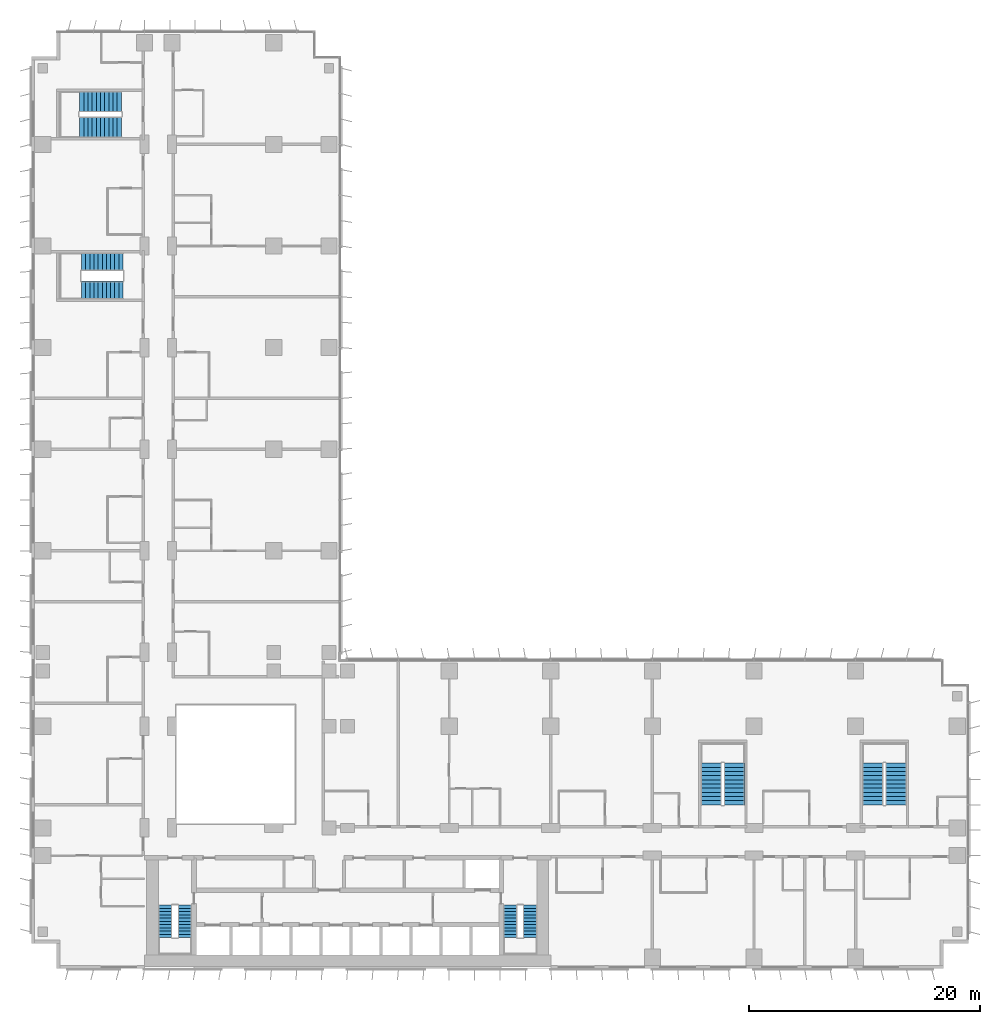
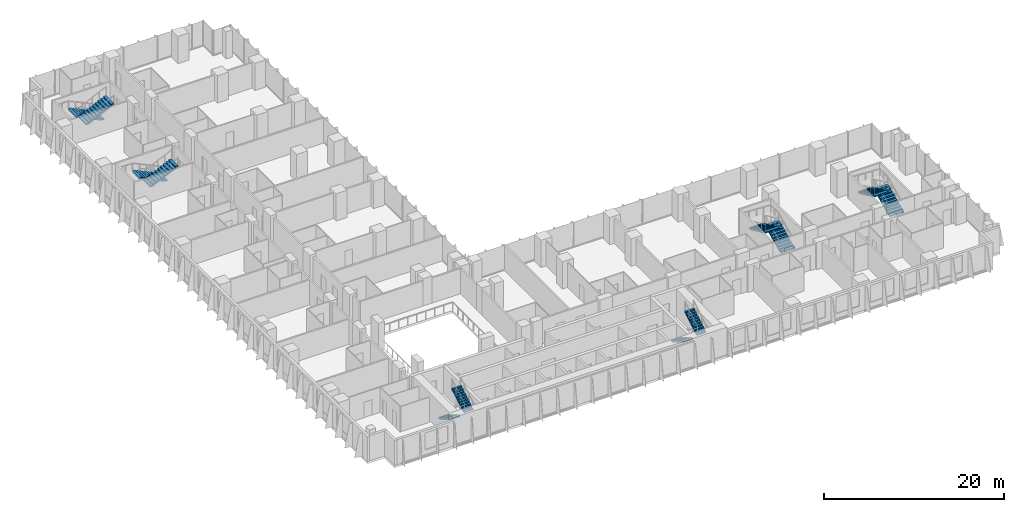
# One storey, part 20 of 24: 12 stair flights, 6 elements without a shape of their own.
"""IFC4 building model written with IfcOpenShell, lengths in metres."""

import ifcopenshell
import ifcopenshell.guid

model = None  # the IFC model being written
_history = None  # IfcOwnerHistory: only IFC2X3 demands one
_inside = {}  # id of a spatial element -> (the spatial element, [elements in it])
_under = {}  # id of a project, library or spatial element -> (it, [spatial elements below it])
_declared = {}  # id of a project -> (the project, [libraries it declares])
_typed = {}  # id of a type object -> (the type object, [elements of that type])
_made_of = {}  # id of a material, layer set ... -> (it, [elements and type objects made of it])


def new_model(schema):
    """Start an empty IFC model of exactly this schema.

    Asked for "IFC4X3", IfcOpenShell would pick the latest addendum, in which some entities
    have other attributes; the version numbers below select the first issue.
    IFC2X3 requires an IfcOwnerHistory on every rooted entity: one is made here for all.
    """
    global model, _history
    if schema == "IFC4X3":
        model = ifcopenshell.file(schema_version=(4, 3, 0, 0))
    else:
        model = ifcopenshell.file(schema=schema)
    _inside.clear()
    _under.clear()
    _declared.clear()
    _typed.clear()
    _made_of.clear()
    _history = None
    if model.schema == "IFC2X3":
        org = make("IfcOrganization", Name="unknown")
        user = make(
            "IfcPersonAndOrganization",
            ThePerson=make("IfcPerson", FamilyName="unknown"),
            TheOrganization=org,
        )
        app = make(
            "IfcApplication",
            ApplicationDeveloper=org,
            Version="unknown",
            ApplicationFullName="unknown",
            ApplicationIdentifier="unknown",
        )
        _history = make(
            "IfcOwnerHistory",
            OwningUser=user,
            OwningApplication=app,
            ChangeAction="ADDED",
            CreationDate=0,
        )
    return model


def make(cls, **values):
    """One entity of the class cls with the attributes given. An attribute that is None is left unset."""
    return model.create_entity(
        cls, **{name: value for name, value in values.items() if value is not None}
    )


def rooted(cls, **values):
    """An entity with a GlobalId (a new one), such as an element, a storey or a relation."""
    return make(cls, GlobalId=ifcopenshell.guid.new(), OwnerHistory=_history, **values)


def si_unit(unit_type, name, prefix=None):
    """IfcSIUnit, for example si_unit("LENGTHUNIT", "METRE", prefix="MILLI")."""
    return make("IfcSIUnit", UnitType=unit_type, Prefix=prefix, Name=name)


def assignment(units):
    """IfcUnitAssignment: the units of a project."""
    return None if units is None else make("IfcUnitAssignment", Units=units)


def point(xyz):
    """IfcCartesianPoint."""
    return None if xyz is None else make("IfcCartesianPoint", Coordinates=xyz)


def direction(xyz):
    """IfcDirection."""
    return None if xyz is None else make("IfcDirection", DirectionRatios=xyz)


def frame(location, z_axis=None, x_axis=None):
    """IfcAxis2Placement3D, a coordinate frame: its origin and axes. An axis left out is left unset."""
    return make(
        "IfcAxis2Placement3D",
        Location=point(location),
        Axis=direction(z_axis),
        RefDirection=direction(x_axis),
    )


def origin():
    """The frame at (0, 0, 0) with its axes left unset."""
    return frame((0.0, 0.0, 0.0))


def place(relative_to, where):
    """IfcLocalPlacement: puts the frame where relative to a parent placement (None: the world)."""
    return make(
        "IfcLocalPlacement", PlacementRelTo=relative_to, RelativePlacement=where
    )


def context(
    kind, dimensions, precision=None, world=None, true_north=None, identifier=None
):
    """IfcGeometricRepresentationContext, for example the 3D "Model" context."""
    return make(
        "IfcGeometricRepresentationContext",
        ContextIdentifier=identifier,
        ContextType=kind,
        CoordinateSpaceDimension=dimensions,
        Precision=precision,
        WorldCoordinateSystem=world,
        TrueNorth=true_north,
    )


def subcontext(parent, identifier, kind, view, scale=None):
    """IfcGeometricRepresentationSubContext, for example "Body" below "Model"."""
    return make(
        "IfcGeometricRepresentationSubContext",
        ContextIdentifier=identifier,
        ContextType=kind,
        ParentContext=parent,
        TargetScale=scale,
        TargetView=view,
    )


def project(units=None, contexts=None):
    """IfcProject with its units and contexts."""
    return rooted(
        "IfcProject",
        Name="project",
        RepresentationContexts=contexts,
        UnitsInContext=assignment(units),
    )


def spatial(cls, under=None, at=None, **own):
    """A site, building, storey or space (cls), placed at a placement, below another one or the project."""
    s = rooted(cls, ObjectPlacement=at, **own)
    if under is not None:
        _under.setdefault(under.id(), (under, []))[1].append(s)
    return s


def polyline(points):
    """IfcPolyline through the points."""
    return make("IfcPolyline", Points=[point(p) for p in points])


def outline(outer, holes=None, kind="AREA"):
    """IfcArbitraryClosedProfileDef: a profile drawn as a closed curve; with holes, ...WithVoids."""
    if holes is None:
        return make("IfcArbitraryClosedProfileDef", ProfileType=kind, OuterCurve=outer)
    return make(
        "IfcArbitraryProfileDefWithVoids",
        ProfileType=kind,
        OuterCurve=outer,
        InnerCurves=holes,
    )


def extrude(swept, where, along, depth):
    """IfcExtrudedAreaSolid: the profile swept, set in the frame where, extruded along a direction by depth."""
    return make(
        "IfcExtrudedAreaSolid",
        SweptArea=swept,
        Position=where,
        ExtrudedDirection=direction(along),
        Depth=depth,
    )


def shape(context_of_items, identifier, shape_type, items):
    """IfcShapeRepresentation: the items that make up one representation, for example the "Body"."""
    return make(
        "IfcShapeRepresentation",
        ContextOfItems=context_of_items,
        RepresentationIdentifier=identifier,
        RepresentationType=shape_type,
        Items=items,
    )


def material(Name=None, Category=None):
    """IfcMaterial."""
    return make("IfcMaterial", Name=Name, Category=Category)


def made_of(thing, what):
    """Note that an element or type object is made of a material, layer set ...; save() writes the relation."""
    if what is not None:
        _made_of.setdefault(what.id(), (what, []))[1].append(thing)
    return thing


def type_object(cls, material=None, **own):
    """A type object (cls), such as IfcWallType, which elements share."""
    return made_of(rooted(cls, **own), material)


def element(
    cls,
    number,
    at=None,
    inside=None,
    cuts=None,
    type_object=None,
    material=None,
    context=None,
    identifier="Body",
    shape_type=None,
    held_by="IfcProductDefinitionShape",
    body=None,
    shapes=None,
    **own,
):
    """One element of the class cls, such as IfcWall. Its Tag is "e" and its number.

    at: its placement. inside: the storey or other place that contains it. cuts: it is an
    opening in that element (IfcRelVoidsElement). A single representation is given by context,
    identifier, shape_type and body (its items); several are given by shapes. held_by: the class
    of the entity that holds the representations. save() writes the other relations.
    """
    e = rooted(cls, Tag="e%d" % number, ObjectPlacement=at, **own)
    if body is not None:
        shapes = [shape(context, identifier, shape_type, body)]
    if shapes is not None:
        e.Representation = make(held_by, Representations=shapes)
    if inside is not None:
        _inside.setdefault(inside.id(), (inside, []))[1].append(e)
    if cuts is not None:
        rooted(
            "IfcRelVoidsElement", RelatingBuildingElement=cuts, RelatedOpeningElement=e
        )
    if type_object is not None:
        _typed.setdefault(type_object.id(), (type_object, []))[1].append(e)
    return made_of(e, material)


def aggregate(whole, parts):
    """IfcRelAggregates: a whole, such as a stair, and the parts it consists of."""
    return rooted("IfcRelAggregates", RelatingObject=whole, RelatedObjects=parts)


def save(model, path):
    """Write the relations noted so far, then the file.

    IfcRelAggregates (storeys below a building ...), IfcRelContainedInSpatialStructure (elements
    in a storey), IfcRelDefinesByType, IfcRelAssociatesMaterial and IfcRelDeclares: one each for
    every whole, place, type object, material and project.
    """
    for whole, parts in _under.values():
        aggregate(whole, parts)
    for where, things in _inside.values():
        rooted(
            "IfcRelContainedInSpatialStructure",
            RelatedElements=things,
            RelatingStructure=where,
        )
    for kind, things in _typed.values():
        rooted("IfcRelDefinesByType", RelatedObjects=things, RelatingType=kind)
    for what, things in _made_of.values():
        rooted("IfcRelAssociatesMaterial", RelatedObjects=things, RelatingMaterial=what)
    for by, libraries in _declared.values():
        rooted("IfcRelDeclares", RelatingContext=by, RelatedDefinitions=libraries)
    model.write(path)


model = new_model("IFC4")

# Units and contexts
model_context = context("Model", 3, precision=1e-05, world=origin(), true_north=direction((0.0, 1.0)))
body_context = subcontext(model_context, "Body", "Model", "MODEL_VIEW")
ifc_project = project(units=[si_unit("LENGTHUNIT", "METRE"), si_unit("AREAUNIT", "SQUARE_METRE"), si_unit("VOLUMEUNIT", "CUBIC_METRE"), si_unit("PLANEANGLEUNIT", "RADIAN"), si_unit("MASSUNIT", "GRAM", prefix="KILO")], contexts=[model_context])

# Site, building, storey
site_placement = place(None, origin())
site = spatial("IfcSite", under=ifc_project, at=site_placement, CompositionType="ELEMENT")
building_placement = place(site_placement, origin())
building = spatial("IfcBuilding", under=site, at=building_placement, Name="Kemantara Hotel Tower", CompositionType="ELEMENT")
storey_placement = place(building_placement, frame((0.0, 0.0, 41.39990234375)))
storey = spatial("IfcBuildingStorey", under=building, at=storey_placement, Name="L08", CompositionType="ELEMENT", Elevation=41.39990234375)

# Stair, stair flights
ifc_material = material(Name="Concrete fc 40 MPa", Category="concrete")
stair_type_1 = type_object("IfcStairType", Name="Stair 1200 wide 22 risers of 168 x 280 mm", PredefinedType="HALF_TURN_STAIR", material=ifc_material)
stair_1_placement = place(storey_placement, origin())
stair_1 = element("IfcStair", 1, at=stair_1_placement, inside=storey, type_object=stair_type_1, Name="L08 Exit stair ST1", PredefinedType="HALF_TURN_STAIR")
stair_flight_type_1 = type_object("IfcStairFlightType", Name="Stair flight 1200 wide 168 x 280 mm", PredefinedType="STRAIGHT", material=ifc_material)
stair_flight_1_placement = place(storey_placement, frame((11.60009765625, 5.5, 0.0), z_axis=(0.0, 0.0, 1.0), x_axis=(0.0, -1.0, 0.0)))
stair_flight_1 = element("IfcStairFlight", 2, at=stair_flight_1_placement, type_object=stair_flight_type_1, Name="ST1 flight 1", NumberOfRisers=11, NumberOfTreads=10, PredefinedType="STRAIGHT", RiserHeight=0.168181818, TreadLength=0.28, context=body_context, shape_type="SweptSolid", body=[
    extrude(outline(polyline([(0.0, 0.0), (0.0, 0.168212890625), (0.280029296875, 0.168212890625), (0.280029296875, 0.33642578125), (0.56005859375, 0.33642578125), (0.56005859375, 0.504638671875), (0.840087890625, 0.504638671875), (0.840087890625, 0.672607421875), (1.1201171875, 0.672607421875), (1.1201171875, 0.8408203125), (1.39990234375, 0.8408203125), (1.39990234375, 1.009033203125), (1.679931640625, 1.009033203125), (1.679931640625, 1.17724609375), (1.9599609375, 1.17724609375), (1.9599609375, 1.345458984375), (2.239990234375, 1.345458984375), (2.239990234375, 1.513671875), (2.52001953125, 1.513671875), (2.52001953125, 1.681884765625), (2.800048828125, 1.681884765625), (2.800048828125, 1.85009765625), (2.800048828125, 1.5068359375), (0.291015625, 0.0), (0.0, 0.0)])), frame((0.0, 0.60009765625, 0.0), z_axis=(0.0, -1.0, 0.0), x_axis=(1.0, 0.0, 0.0)), (0.0, 0.0, 1.0), 1.199951171875),
])
stair_flight_2_placement = place(storey_placement, frame((13.300048828125, 2.699951171875, 1.85009765625), z_axis=(0.0, 0.0, 1.0), x_axis=(0.0, 1.0, 0.0)))
stair_flight_2 = element("IfcStairFlight", 3, at=stair_flight_2_placement, type_object=stair_flight_type_1, Name="ST1 flight 2", NumberOfRisers=11, NumberOfTreads=10, PredefinedType="STRAIGHT", RiserHeight=0.168181818, TreadLength=0.28, context=body_context, shape_type="SweptSolid", body=[
    extrude(outline(polyline([(0.0, 0.0), (0.0, 0.168212890625), (0.280029296875, 0.168212890625), (0.280029296875, 0.33642578125), (0.56005859375, 0.33642578125), (0.56005859375, 0.504638671875), (0.840087890625, 0.504638671875), (0.840087890625, 0.672607421875), (1.1201171875, 0.672607421875), (1.1201171875, 0.8408203125), (1.39990234375, 0.8408203125), (1.39990234375, 1.009033203125), (1.679931640625, 1.009033203125), (1.679931640625, 1.17724609375), (1.9599609375, 1.17724609375), (1.9599609375, 1.345458984375), (2.239990234375, 1.345458984375), (2.239990234375, 1.513671875), (2.52001953125, 1.513671875), (2.52001953125, 1.681884765625), (2.800048828125, 1.681884765625), (2.800048828125, 1.85009765625), (2.800048828125, 1.5068359375), (0.291015625, 0.0), (0.0, 0.0)])), frame((0.0, 0.60009765625, 0.0), z_axis=(0.0, -1.0, 0.0), x_axis=(1.0, 0.0, 0.0)), (0.0, 0.0, 1.0), 1.199951171875),
])
aggregate(stair_1, [stair_flight_1, stair_flight_2])

stair_2_placement = place(storey_placement, origin())
stair_2 = element("IfcStair", 4, at=stair_2_placement, inside=storey, type_object=stair_type_1, Name="L08 Exit stair ST2", PredefinedType="HALF_TURN_STAIR")
stair_flight_3_placement = place(storey_placement, frame((41.5, 5.5, 0.0), z_axis=(0.0, 0.0, 1.0), x_axis=(0.0, -1.0, 0.0)))
stair_flight_3 = element("IfcStairFlight", 5, at=stair_flight_3_placement, type_object=stair_flight_type_1, Name="ST2 flight 1", NumberOfRisers=11, NumberOfTreads=10, PredefinedType="STRAIGHT", RiserHeight=0.168181818, TreadLength=0.28, context=body_context, shape_type="SweptSolid", body=[
    extrude(outline(polyline([(0.0, 0.0), (0.0, 0.168212890625), (0.280029296875, 0.168212890625), (0.280029296875, 0.33642578125), (0.56005859375, 0.33642578125), (0.56005859375, 0.504638671875), (0.840087890625, 0.504638671875), (0.840087890625, 0.672607421875), (1.1201171875, 0.672607421875), (1.1201171875, 0.8408203125), (1.39990234375, 0.8408203125), (1.39990234375, 1.009033203125), (1.679931640625, 1.009033203125), (1.679931640625, 1.17724609375), (1.9599609375, 1.17724609375), (1.9599609375, 1.345458984375), (2.239990234375, 1.345458984375), (2.239990234375, 1.513671875), (2.52001953125, 1.513671875), (2.52001953125, 1.681884765625), (2.800048828125, 1.681884765625), (2.800048828125, 1.85009765625), (2.800048828125, 1.5068359375), (0.291015625, 0.0), (0.0, 0.0)])), frame((0.0, 0.60009765625, 0.0), z_axis=(0.0, -1.0, 0.0), x_axis=(1.0, 0.0, 0.0)), (0.0, 0.0, 1.0), 1.199951171875),
])
stair_flight_4_placement = place(storey_placement, frame((43.199951171875, 2.699951171875, 1.85009765625), z_axis=(0.0, 0.0, 1.0), x_axis=(0.0, 1.0, 0.0)))
stair_flight_4 = element("IfcStairFlight", 6, at=stair_flight_4_placement, type_object=stair_flight_type_1, Name="ST2 flight 2", NumberOfRisers=11, NumberOfTreads=10, PredefinedType="STRAIGHT", RiserHeight=0.168181818, TreadLength=0.28, context=body_context, shape_type="SweptSolid", body=[
    extrude(outline(polyline([(0.0, 0.0), (0.0, 0.168212890625), (0.280029296875, 0.168212890625), (0.280029296875, 0.33642578125), (0.56005859375, 0.33642578125), (0.56005859375, 0.504638671875), (0.840087890625, 0.504638671875), (0.840087890625, 0.672607421875), (1.1201171875, 0.672607421875), (1.1201171875, 0.8408203125), (1.39990234375, 0.8408203125), (1.39990234375, 1.009033203125), (1.679931640625, 1.009033203125), (1.679931640625, 1.17724609375), (1.9599609375, 1.17724609375), (1.9599609375, 1.345458984375), (2.239990234375, 1.345458984375), (2.239990234375, 1.513671875), (2.52001953125, 1.513671875), (2.52001953125, 1.681884765625), (2.800048828125, 1.681884765625), (2.800048828125, 1.85009765625), (2.800048828125, 1.5068359375), (0.291015625, 0.0), (0.0, 0.0)])), frame((0.0, 0.60009765625, 0.0), z_axis=(0.0, -1.0, 0.0), x_axis=(1.0, 0.0, 0.0)), (0.0, 0.0, 1.0), 1.199951171875),
])
aggregate(stair_2, [stair_flight_3, stair_flight_4])

stair_type_2 = type_object("IfcStairType", Name="Stair 1550 wide 22 risers of 168 x 360 mm", PredefinedType="HALF_TURN_STAIR", material=ifc_material)
stair_3_placement = place(storey_placement, origin())
stair_3 = element("IfcStair", 7, at=stair_3_placement, inside=storey, type_object=stair_type_2, Name="L08 Exit stair ST4", PredefinedType="HALF_TURN_STAIR")
stair_flight_type_2 = type_object("IfcStairFlightType", Name="Stair flight 1550 wide 168 x 360 mm", PredefinedType="STRAIGHT", material=ifc_material)
stair_flight_5_placement = place(storey_placement, frame((7.949951171875, 61.22509765625, 0.0), z_axis=(0.0, 0.0, 1.0), x_axis=(-1.0, 0.0, 0.0)))
stair_flight_5 = element("IfcStairFlight", 8, at=stair_flight_5_placement, type_object=stair_flight_type_2, Name="ST4 flight 1", NumberOfRisers=11, NumberOfTreads=10, PredefinedType="STRAIGHT", RiserHeight=0.168181818, TreadLength=0.36, context=body_context, shape_type="SweptSolid", body=[
    extrude(outline(polyline([(0.0, 0.0), (0.0, 0.168212890625), (0.360107421875, 0.168212890625), (0.360107421875, 0.33642578125), (0.719970703125, 0.33642578125), (0.719970703125, 0.504638671875), (1.080078125, 0.504638671875), (1.080078125, 0.672607421875), (1.43994140625, 0.672607421875), (1.43994140625, 0.8408203125), (1.800048828125, 0.8408203125), (1.800048828125, 1.009033203125), (2.159912109375, 1.009033203125), (2.159912109375, 1.17724609375), (2.52001953125, 1.17724609375), (2.52001953125, 1.345458984375), (2.8798828125, 1.345458984375), (2.8798828125, 1.513671875), (3.239990234375, 1.513671875), (3.239990234375, 1.681884765625), (3.60009765625, 1.681884765625), (3.60009765625, 1.85009765625), (3.60009765625, 1.516357421875), (0.354248046875, 0.0), (0.0, 0.0)])), frame((0.0, 0.77490234375, 0.0), z_axis=(0.0, -1.0, 0.0), x_axis=(1.0, 0.0, 0.0)), (0.0, 0.0, 1.0), 1.550048828125),
])
stair_flight_6_placement = place(storey_placement, frame((4.35009765625, 58.77490234375, 1.85009765625), z_axis=(0.0, 0.0, 1.0), x_axis=(1.0, 0.0, 0.0)))
stair_flight_6 = element("IfcStairFlight", 9, at=stair_flight_6_placement, type_object=stair_flight_type_2, Name="ST4 flight 2", NumberOfRisers=11, NumberOfTreads=10, PredefinedType="STRAIGHT", RiserHeight=0.168181818, TreadLength=0.36, context=body_context, shape_type="SweptSolid", body=[
    extrude(outline(polyline([(0.0, 0.0), (0.0, 0.168212890625), (0.360107421875, 0.168212890625), (0.360107421875, 0.33642578125), (0.719970703125, 0.33642578125), (0.719970703125, 0.504638671875), (1.080078125, 0.504638671875), (1.080078125, 0.672607421875), (1.43994140625, 0.672607421875), (1.43994140625, 0.8408203125), (1.800048828125, 0.8408203125), (1.800048828125, 1.009033203125), (2.159912109375, 1.009033203125), (2.159912109375, 1.17724609375), (2.52001953125, 1.17724609375), (2.52001953125, 1.345458984375), (2.8798828125, 1.345458984375), (2.8798828125, 1.513671875), (3.239990234375, 1.513671875), (3.239990234375, 1.681884765625), (3.60009765625, 1.681884765625), (3.60009765625, 1.85009765625), (3.60009765625, 1.516357421875), (0.354248046875, 0.0), (0.0, 0.0)])), frame((0.0, 0.77490234375, 0.0), z_axis=(0.0, -1.0, 0.0), x_axis=(1.0, 0.0, 0.0)), (0.0, 0.0, 1.0), 1.550048828125),
])
aggregate(stair_3, [stair_flight_5, stair_flight_6])

stair_type_3 = type_object("IfcStairType", Name="Stair 1800 wide 22 risers of 168 x 360 mm", PredefinedType="HALF_TURN_STAIR", material=ifc_material)
stair_4_placement = place(storey_placement, origin())
stair_4 = element("IfcStair", 10, at=stair_4_placement, inside=storey, type_object=stair_type_3, Name="L08 Exit stair ST3", PredefinedType="HALF_TURN_STAIR")
stair_flight_type_3 = type_object("IfcStairFlightType", Name="Stair flight 1800 wide 168 x 360 mm", PredefinedType="STRAIGHT", material=ifc_material)
stair_flight_7_placement = place(storey_placement, frame((60.89990234375, 14.199951171875, 0.0), z_axis=(0.0, 0.0, 1.0), x_axis=(0.0, 1.0, 0.0)))
stair_flight_7 = element("IfcStairFlight", 11, at=stair_flight_7_placement, type_object=stair_flight_type_3, Name="ST3 flight 1", NumberOfRisers=11, NumberOfTreads=10, PredefinedType="STRAIGHT", RiserHeight=0.168181818, TreadLength=0.36, context=body_context, shape_type="SweptSolid", body=[
    extrude(outline(polyline([(0.0, 0.0), (0.0, 0.168212890625), (0.360107421875, 0.168212890625), (0.360107421875, 0.33642578125), (0.719970703125, 0.33642578125), (0.719970703125, 0.504638671875), (1.080078125, 0.504638671875), (1.080078125, 0.672607421875), (1.43994140625, 0.672607421875), (1.43994140625, 0.8408203125), (1.800048828125, 0.8408203125), (1.800048828125, 1.009033203125), (2.159912109375, 1.009033203125), (2.159912109375, 1.17724609375), (2.52001953125, 1.17724609375), (2.52001953125, 1.345458984375), (2.8798828125, 1.345458984375), (2.8798828125, 1.513671875), (3.239990234375, 1.513671875), (3.239990234375, 1.681884765625), (3.60009765625, 1.681884765625), (3.60009765625, 1.85009765625), (3.60009765625, 1.516357421875), (0.354248046875, 0.0), (0.0, 0.0)])), frame((0.0, 0.89990234375, 0.0), z_axis=(0.0, -1.0, 0.0), x_axis=(1.0, 0.0, 0.0)), (0.0, 0.0, 1.0), 1.800048828125),
])
stair_flight_8_placement = place(storey_placement, frame((58.89990234375, 17.800048828125, 1.85009765625), z_axis=(0.0, 0.0, 1.0), x_axis=(0.0, -1.0, 0.0)))
stair_flight_8 = element("IfcStairFlight", 12, at=stair_flight_8_placement, type_object=stair_flight_type_3, Name="ST3 flight 2", NumberOfRisers=11, NumberOfTreads=10, PredefinedType="STRAIGHT", RiserHeight=0.168181818, TreadLength=0.36, context=body_context, shape_type="SweptSolid", body=[
    extrude(outline(polyline([(0.0, 0.0), (0.0, 0.168212890625), (0.360107421875, 0.168212890625), (0.360107421875, 0.33642578125), (0.719970703125, 0.33642578125), (0.719970703125, 0.504638671875), (1.080078125, 0.504638671875), (1.080078125, 0.672607421875), (1.43994140625, 0.672607421875), (1.43994140625, 0.8408203125), (1.800048828125, 0.8408203125), (1.800048828125, 1.009033203125), (2.159912109375, 1.009033203125), (2.159912109375, 1.17724609375), (2.52001953125, 1.17724609375), (2.52001953125, 1.345458984375), (2.8798828125, 1.345458984375), (2.8798828125, 1.513671875), (3.239990234375, 1.513671875), (3.239990234375, 1.681884765625), (3.60009765625, 1.681884765625), (3.60009765625, 1.85009765625), (3.60009765625, 1.516357421875), (0.354248046875, 0.0), (0.0, 0.0)])), frame((0.0, 0.89990234375, 0.0), z_axis=(0.0, -1.0, 0.0), x_axis=(1.0, 0.0, 0.0)), (0.0, 0.0, 1.0), 1.800048828125),
])
aggregate(stair_4, [stair_flight_7, stair_flight_8])

stair_5_placement = place(storey_placement, origin())
stair_5 = element("IfcStair", 13, at=stair_5_placement, inside=storey, type_object=stair_type_3, Name="L08 Exit stair ST5", PredefinedType="HALF_TURN_STAIR")
stair_flight_9_placement = place(storey_placement, frame((74.89990234375, 14.199951171875, 0.0), z_axis=(0.0, 0.0, 1.0), x_axis=(0.0, 1.0, 0.0)))
stair_flight_9 = element("IfcStairFlight", 14, at=stair_flight_9_placement, type_object=stair_flight_type_3, Name="ST5 flight 1", NumberOfRisers=11, NumberOfTreads=10, PredefinedType="STRAIGHT", RiserHeight=0.168181818, TreadLength=0.36, context=body_context, shape_type="SweptSolid", body=[
    extrude(outline(polyline([(0.0, 0.0), (0.0, 0.168212890625), (0.360107421875, 0.168212890625), (0.360107421875, 0.33642578125), (0.719970703125, 0.33642578125), (0.719970703125, 0.504638671875), (1.080078125, 0.504638671875), (1.080078125, 0.672607421875), (1.43994140625, 0.672607421875), (1.43994140625, 0.8408203125), (1.800048828125, 0.8408203125), (1.800048828125, 1.009033203125), (2.159912109375, 1.009033203125), (2.159912109375, 1.17724609375), (2.52001953125, 1.17724609375), (2.52001953125, 1.345458984375), (2.8798828125, 1.345458984375), (2.8798828125, 1.513671875), (3.239990234375, 1.513671875), (3.239990234375, 1.681884765625), (3.60009765625, 1.681884765625), (3.60009765625, 1.85009765625), (3.60009765625, 1.516357421875), (0.354248046875, 0.0), (0.0, 0.0)])), frame((0.0, 0.89990234375, 0.0), z_axis=(0.0, -1.0, 0.0), x_axis=(1.0, 0.0, 0.0)), (0.0, 0.0, 1.0), 1.800048828125),
])
stair_flight_10_placement = place(storey_placement, frame((72.89990234375, 17.800048828125, 1.85009765625), z_axis=(0.0, 0.0, 1.0), x_axis=(0.0, -1.0, 0.0)))
stair_flight_10 = element("IfcStairFlight", 15, at=stair_flight_10_placement, type_object=stair_flight_type_3, Name="ST5 flight 2", NumberOfRisers=11, NumberOfTreads=10, PredefinedType="STRAIGHT", RiserHeight=0.168181818, TreadLength=0.36, context=body_context, shape_type="SweptSolid", body=[
    extrude(outline(polyline([(0.0, 0.0), (0.0, 0.168212890625), (0.360107421875, 0.168212890625), (0.360107421875, 0.33642578125), (0.719970703125, 0.33642578125), (0.719970703125, 0.504638671875), (1.080078125, 0.504638671875), (1.080078125, 0.672607421875), (1.43994140625, 0.672607421875), (1.43994140625, 0.8408203125), (1.800048828125, 0.8408203125), (1.800048828125, 1.009033203125), (2.159912109375, 1.009033203125), (2.159912109375, 1.17724609375), (2.52001953125, 1.17724609375), (2.52001953125, 1.345458984375), (2.8798828125, 1.345458984375), (2.8798828125, 1.513671875), (3.239990234375, 1.513671875), (3.239990234375, 1.681884765625), (3.60009765625, 1.681884765625), (3.60009765625, 1.85009765625), (3.60009765625, 1.516357421875), (0.354248046875, 0.0), (0.0, 0.0)])), frame((0.0, 0.89990234375, 0.0), z_axis=(0.0, -1.0, 0.0), x_axis=(1.0, 0.0, 0.0)), (0.0, 0.0, 1.0), 1.800048828125),
])
aggregate(stair_5, [stair_flight_9, stair_flight_10])

stair_6_placement = place(storey_placement, origin())
stair_6 = element("IfcStair", 16, at=stair_6_placement, inside=storey, type_object=stair_type_3, Name="L08 Exit stair ST6", PredefinedType="HALF_TURN_STAIR")
stair_flight_11_placement = place(storey_placement, frame((7.800048828125, 75.10009765625, 0.0), z_axis=(0.0, 0.0, 1.0), x_axis=(-1.0, 0.0, 0.0)))
stair_flight_11 = element("IfcStairFlight", 17, at=stair_flight_11_placement, type_object=stair_flight_type_3, Name="ST6 flight 1", NumberOfRisers=11, NumberOfTreads=10, PredefinedType="STRAIGHT", RiserHeight=0.168181818, TreadLength=0.36, context=body_context, shape_type="SweptSolid", body=[
    extrude(outline(polyline([(0.0, 0.0), (0.0, 0.168212890625), (0.360107421875, 0.168212890625), (0.360107421875, 0.33642578125), (0.719970703125, 0.33642578125), (0.719970703125, 0.504638671875), (1.080078125, 0.504638671875), (1.080078125, 0.672607421875), (1.43994140625, 0.672607421875), (1.43994140625, 0.8408203125), (1.800048828125, 0.8408203125), (1.800048828125, 1.009033203125), (2.159912109375, 1.009033203125), (2.159912109375, 1.17724609375), (2.52001953125, 1.17724609375), (2.52001953125, 1.345458984375), (2.8798828125, 1.345458984375), (2.8798828125, 1.513671875), (3.239990234375, 1.513671875), (3.239990234375, 1.681884765625), (3.60009765625, 1.681884765625), (3.60009765625, 1.85009765625), (3.60009765625, 1.516357421875), (0.354248046875, 0.0), (0.0, 0.0)])), frame((0.0, 0.89990234375, 0.0), z_axis=(0.0, -1.0, 0.0), x_axis=(1.0, 0.0, 0.0)), (0.0, 0.0, 1.0), 1.800048828125),
])
stair_flight_12_placement = place(storey_placement, frame((4.199951171875, 72.89990234375, 1.85009765625), z_axis=(0.0, 0.0, 1.0), x_axis=(1.0, 0.0, 0.0)))
stair_flight_12 = element("IfcStairFlight", 18, at=stair_flight_12_placement, type_object=stair_flight_type_3, Name="ST6 flight 2", NumberOfRisers=11, NumberOfTreads=10, PredefinedType="STRAIGHT", RiserHeight=0.168181818, TreadLength=0.36, context=body_context, shape_type="SweptSolid", body=[
    extrude(outline(polyline([(0.0, 0.0), (0.0, 0.168212890625), (0.360107421875, 0.168212890625), (0.360107421875, 0.33642578125), (0.719970703125, 0.33642578125), (0.719970703125, 0.504638671875), (1.080078125, 0.504638671875), (1.080078125, 0.672607421875), (1.43994140625, 0.672607421875), (1.43994140625, 0.8408203125), (1.800048828125, 0.8408203125), (1.800048828125, 1.009033203125), (2.159912109375, 1.009033203125), (2.159912109375, 1.17724609375), (2.52001953125, 1.17724609375), (2.52001953125, 1.345458984375), (2.8798828125, 1.345458984375), (2.8798828125, 1.513671875), (3.239990234375, 1.513671875), (3.239990234375, 1.681884765625), (3.60009765625, 1.681884765625), (3.60009765625, 1.85009765625), (3.60009765625, 1.516357421875), (0.354248046875, 0.0), (0.0, 0.0)])), frame((0.0, 0.89990234375, 0.0), z_axis=(0.0, -1.0, 0.0), x_axis=(1.0, 0.0, 0.0)), (0.0, 0.0, 1.0), 1.800048828125),
])
aggregate(stair_6, [stair_flight_11, stair_flight_12])

save(model, "model.ifc")
